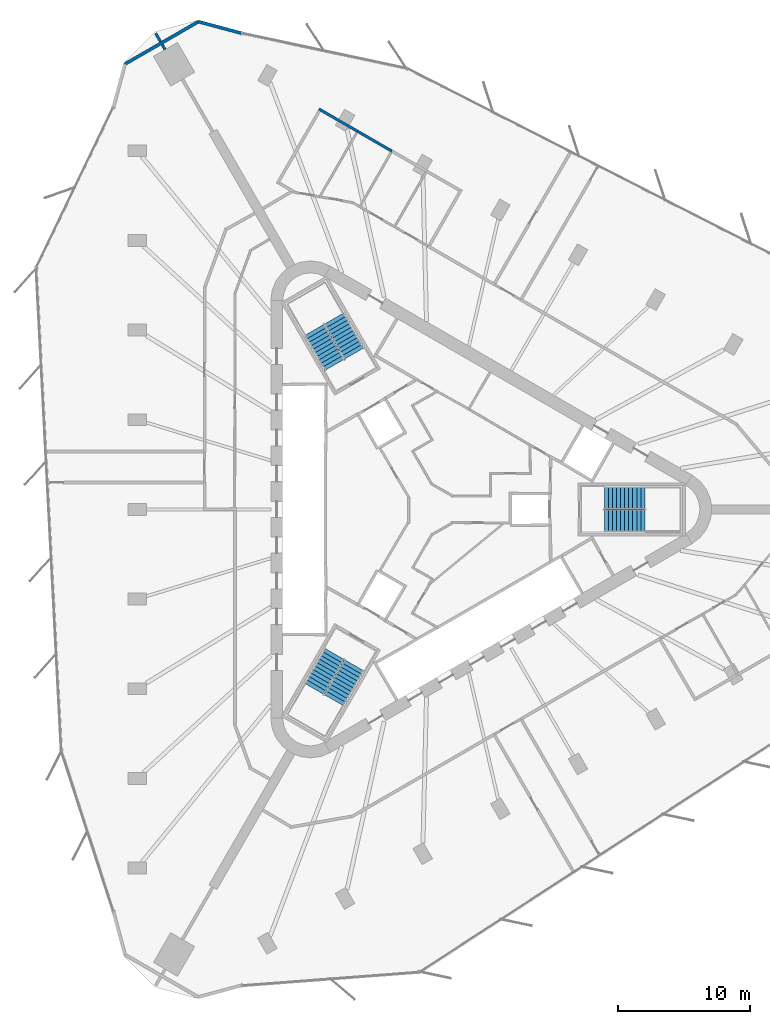
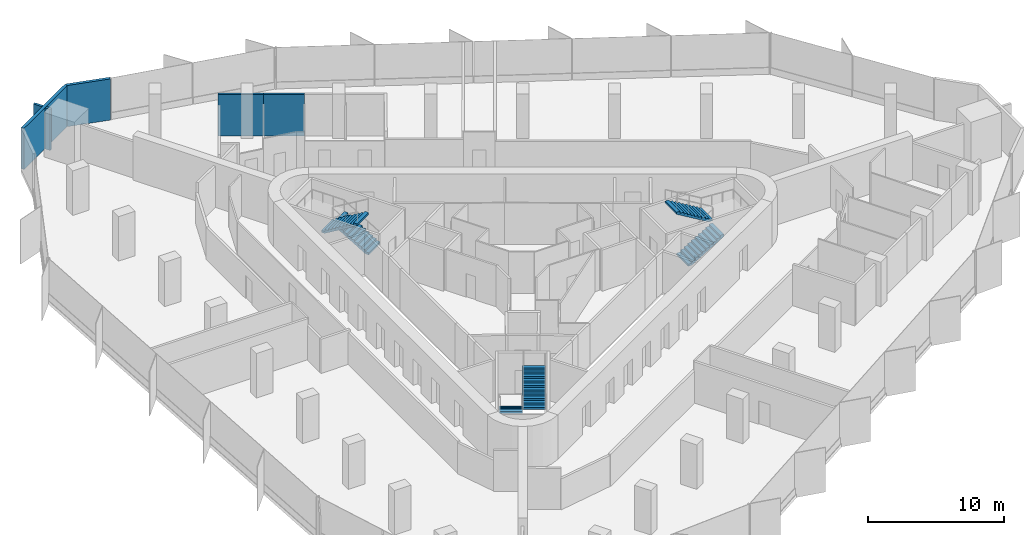
# One storey, part 13 of 14: 6 stair flights, 6 walls, 3 elements without a shape of their own.
"""IFC4 building model written with IfcOpenShell, lengths in metres."""

import ifcopenshell
import ifcopenshell.guid

model = None  # the IFC model being written
_history = None  # IfcOwnerHistory: only IFC2X3 demands one
_inside = {}  # id of a spatial element -> (the spatial element, [elements in it])
_under = {}  # id of a project, library or spatial element -> (it, [spatial elements below it])
_declared = {}  # id of a project -> (the project, [libraries it declares])
_typed = {}  # id of a type object -> (the type object, [elements of that type])
_made_of = {}  # id of a material, layer set ... -> (it, [elements and type objects made of it])


def new_model(schema):
    """Start an empty IFC model of exactly this schema.

    Asked for "IFC4X3", IfcOpenShell would pick the latest addendum, in which some entities
    have other attributes; the version numbers below select the first issue.
    IFC2X3 requires an IfcOwnerHistory on every rooted entity: one is made here for all.
    """
    global model, _history
    if schema == "IFC4X3":
        model = ifcopenshell.file(schema_version=(4, 3, 0, 0))
    else:
        model = ifcopenshell.file(schema=schema)
    _inside.clear()
    _under.clear()
    _declared.clear()
    _typed.clear()
    _made_of.clear()
    _history = None
    if model.schema == "IFC2X3":
        org = make("IfcOrganization", Name="unknown")
        user = make(
            "IfcPersonAndOrganization",
            ThePerson=make("IfcPerson", FamilyName="unknown"),
            TheOrganization=org,
        )
        app = make(
            "IfcApplication",
            ApplicationDeveloper=org,
            Version="unknown",
            ApplicationFullName="unknown",
            ApplicationIdentifier="unknown",
        )
        _history = make(
            "IfcOwnerHistory",
            OwningUser=user,
            OwningApplication=app,
            ChangeAction="ADDED",
            CreationDate=0,
        )
    return model


def make(cls, **values):
    """One entity of the class cls with the attributes given. An attribute that is None is left unset."""
    return model.create_entity(
        cls, **{name: value for name, value in values.items() if value is not None}
    )


def rooted(cls, **values):
    """An entity with a GlobalId (a new one), such as an element, a storey or a relation."""
    return make(cls, GlobalId=ifcopenshell.guid.new(), OwnerHistory=_history, **values)


def si_unit(unit_type, name, prefix=None):
    """IfcSIUnit, for example si_unit("LENGTHUNIT", "METRE", prefix="MILLI")."""
    return make("IfcSIUnit", UnitType=unit_type, Prefix=prefix, Name=name)


def assignment(units):
    """IfcUnitAssignment: the units of a project."""
    return None if units is None else make("IfcUnitAssignment", Units=units)


def point(xyz):
    """IfcCartesianPoint."""
    return None if xyz is None else make("IfcCartesianPoint", Coordinates=xyz)


def direction(xyz):
    """IfcDirection."""
    return None if xyz is None else make("IfcDirection", DirectionRatios=xyz)


def frame(location, z_axis=None, x_axis=None):
    """IfcAxis2Placement3D, a coordinate frame: its origin and axes. An axis left out is left unset."""
    return make(
        "IfcAxis2Placement3D",
        Location=point(location),
        Axis=direction(z_axis),
        RefDirection=direction(x_axis),
    )


def frame_2d(location, x_axis=None):
    """IfcAxis2Placement2D, a coordinate frame in the plane: its origin and x axis."""
    return make(
        "IfcAxis2Placement2D", Location=point(location), RefDirection=direction(x_axis)
    )


def origin():
    """The frame at (0, 0, 0) with its axes left unset."""
    return frame((0.0, 0.0, 0.0))


def place(relative_to, where):
    """IfcLocalPlacement: puts the frame where relative to a parent placement (None: the world)."""
    return make(
        "IfcLocalPlacement", PlacementRelTo=relative_to, RelativePlacement=where
    )


def context(
    kind, dimensions, precision=None, world=None, true_north=None, identifier=None
):
    """IfcGeometricRepresentationContext, for example the 3D "Model" context."""
    return make(
        "IfcGeometricRepresentationContext",
        ContextIdentifier=identifier,
        ContextType=kind,
        CoordinateSpaceDimension=dimensions,
        Precision=precision,
        WorldCoordinateSystem=world,
        TrueNorth=true_north,
    )


def subcontext(parent, identifier, kind, view, scale=None):
    """IfcGeometricRepresentationSubContext, for example "Body" below "Model"."""
    return make(
        "IfcGeometricRepresentationSubContext",
        ContextIdentifier=identifier,
        ContextType=kind,
        ParentContext=parent,
        TargetScale=scale,
        TargetView=view,
    )


def project(units=None, contexts=None):
    """IfcProject with its units and contexts."""
    return rooted(
        "IfcProject",
        Name="project",
        RepresentationContexts=contexts,
        UnitsInContext=assignment(units),
    )


def spatial(cls, under=None, at=None, **own):
    """A site, building, storey or space (cls), placed at a placement, below another one or the project."""
    s = rooted(cls, ObjectPlacement=at, **own)
    if under is not None:
        _under.setdefault(under.id(), (under, []))[1].append(s)
    return s


def polyline(points):
    """IfcPolyline through the points."""
    return make("IfcPolyline", Points=[point(p) for p in points])


def profile(cls, at=None, kind="AREA", **sizes):
    """A parametric profile (cls). Its sizes go by their IFC names, for example OverallWidth=200.0."""
    return make(cls, ProfileType=kind, Position=at, **sizes)


def rectangle(**sizes):
    """IfcRectangleProfileDef."""
    return profile("IfcRectangleProfileDef", **sizes)


def outline(outer, holes=None, kind="AREA"):
    """IfcArbitraryClosedProfileDef: a profile drawn as a closed curve; with holes, ...WithVoids."""
    if holes is None:
        return make("IfcArbitraryClosedProfileDef", ProfileType=kind, OuterCurve=outer)
    return make(
        "IfcArbitraryProfileDefWithVoids",
        ProfileType=kind,
        OuterCurve=outer,
        InnerCurves=holes,
    )


def extrude(swept, where, along, depth):
    """IfcExtrudedAreaSolid: the profile swept, set in the frame where, extruded along a direction by depth."""
    return make(
        "IfcExtrudedAreaSolid",
        SweptArea=swept,
        Position=where,
        ExtrudedDirection=direction(along),
        Depth=depth,
    )


def shape(context_of_items, identifier, shape_type, items):
    """IfcShapeRepresentation: the items that make up one representation, for example the "Body"."""
    return make(
        "IfcShapeRepresentation",
        ContextOfItems=context_of_items,
        RepresentationIdentifier=identifier,
        RepresentationType=shape_type,
        Items=items,
    )


def material(Name=None, Category=None):
    """IfcMaterial."""
    return make("IfcMaterial", Name=Name, Category=Category)


def layer(
    of_material, thickness, ventilated=None, Name=None, Category=None, Priority=None
):
    """IfcMaterialLayer: one layer of a wall or slab, of a material (None: an air gap)."""
    return make(
        "IfcMaterialLayer",
        Material=of_material,
        LayerThickness=thickness,
        IsVentilated=ventilated,
        Name=Name,
        Category=Category,
        Priority=Priority,
    )


def layer_set(layers, Name=None):
    """IfcMaterialLayerSet."""
    return make("IfcMaterialLayerSet", MaterialLayers=layers, LayerSetName=Name)


def made_of(thing, what):
    """Note that an element or type object is made of a material, layer set ...; save() writes the relation."""
    if what is not None:
        _made_of.setdefault(what.id(), (what, []))[1].append(thing)
    return thing


def type_object(cls, material=None, **own):
    """A type object (cls), such as IfcWallType, which elements share."""
    return made_of(rooted(cls, **own), material)


def element(
    cls,
    number,
    at=None,
    inside=None,
    cuts=None,
    type_object=None,
    material=None,
    context=None,
    identifier="Body",
    shape_type=None,
    held_by="IfcProductDefinitionShape",
    body=None,
    shapes=None,
    **own,
):
    """One element of the class cls, such as IfcWall. Its Tag is "e" and its number.

    at: its placement. inside: the storey or other place that contains it. cuts: it is an
    opening in that element (IfcRelVoidsElement). A single representation is given by context,
    identifier, shape_type and body (its items); several are given by shapes. held_by: the class
    of the entity that holds the representations. save() writes the other relations.
    """
    e = rooted(cls, Tag="e%d" % number, ObjectPlacement=at, **own)
    if body is not None:
        shapes = [shape(context, identifier, shape_type, body)]
    if shapes is not None:
        e.Representation = make(held_by, Representations=shapes)
    if inside is not None:
        _inside.setdefault(inside.id(), (inside, []))[1].append(e)
    if cuts is not None:
        rooted(
            "IfcRelVoidsElement", RelatingBuildingElement=cuts, RelatedOpeningElement=e
        )
    if type_object is not None:
        _typed.setdefault(type_object.id(), (type_object, []))[1].append(e)
    return made_of(e, material)


def aggregate(whole, parts):
    """IfcRelAggregates: a whole, such as a stair, and the parts it consists of."""
    return rooted("IfcRelAggregates", RelatingObject=whole, RelatedObjects=parts)


def save(model, path):
    """Write the relations noted so far, then the file.

    IfcRelAggregates (storeys below a building ...), IfcRelContainedInSpatialStructure (elements
    in a storey), IfcRelDefinesByType, IfcRelAssociatesMaterial and IfcRelDeclares: one each for
    every whole, place, type object, material and project.
    """
    for whole, parts in _under.values():
        aggregate(whole, parts)
    for where, things in _inside.values():
        rooted(
            "IfcRelContainedInSpatialStructure",
            RelatedElements=things,
            RelatingStructure=where,
        )
    for kind, things in _typed.values():
        rooted("IfcRelDefinesByType", RelatedObjects=things, RelatingType=kind)
    for what, things in _made_of.values():
        rooted("IfcRelAssociatesMaterial", RelatedObjects=things, RelatingMaterial=what)
    for by, libraries in _declared.values():
        rooted("IfcRelDeclares", RelatingContext=by, RelatedDefinitions=libraries)
    model.write(path)


model = new_model("IFC4")

# Units and contexts
model_context = context("Model", 3, precision=1e-05, world=origin(), true_north=direction((0.0, 1.0)))
body_context = subcontext(model_context, "Body", "Model", "MODEL_VIEW")
ifc_project = project(units=[si_unit("LENGTHUNIT", "METRE"), si_unit("AREAUNIT", "SQUARE_METRE"), si_unit("VOLUMEUNIT", "CUBIC_METRE"), si_unit("PLANEANGLEUNIT", "RADIAN"), si_unit("MASSUNIT", "GRAM", prefix="KILO")], contexts=[model_context])

# Site, building, storey
site_placement = place(None, origin())
site = spatial("IfcSite", under=ifc_project, at=site_placement, CompositionType="ELEMENT")
building_placement = place(site_placement, origin())
building = spatial("IfcBuilding", under=site, at=building_placement, Name="Tanit Gate Tower", CompositionType="ELEMENT")
storey_placement = place(building_placement, frame((0.0, 0.0, 213.199951171875)))
storey = spatial("IfcBuildingStorey", under=building, at=storey_placement, Name="L47", CompositionType="ELEMENT", Elevation=213.199951171875)

# Walls
ifc_material_1 = material(Name="Concrete C30/37 with bronze anodised aluminium cladding", Category="concrete")
ifc_layer_1 = layer(ifc_material_1, 0.239990234375)
ifc_layer_set_1 = layer_set([ifc_layer_1], Name="Facade wall bronze clad 240")
wall_type_1 = type_object("IfcWallType", Name="Facade wall bronze clad 240", PredefinedType="SOLIDWALL", material=ifc_layer_set_1)
wall_1_placement = place(storey_placement, frame((-14.32568359375, 35.962890625, 0.0), z_axis=(0.0, 0.0, 1.0), x_axis=(-0.965927247937, 0.258813739382, 0.0)))
element("IfcWall", 1, at=wall_1_placement, inside=storey, type_object=wall_type_1, Name="Bronze-clad facade wall L47 NW.arc1", PredefinedType="SOLIDWALL", context=body_context, shape_type="SweptSolid", body=[
    extrude(rectangle(XDim=3.3525390625, YDim=0.239990234375, at=frame_2d((1.67626953125, 0.0))), origin(), (0.0, 0.0, 1.0), 3.699951171875),
])
wall_2_placement = place(storey_placement, frame((-17.56396484375, 36.83056640625, 0.0), z_axis=(0.0, 0.0, 1.0), x_axis=(-0.86602381473, -0.500002752313, 0.0)))
element("IfcWall", 2, at=wall_2_placement, inside=storey, type_object=wall_type_1, Name="Bronze-clad facade wall L47 NW.arc2", PredefinedType="SOLIDWALL", context=body_context, shape_type="SweptSolid", body=[
    extrude(rectangle(XDim=6.40869140625, YDim=0.239990234375, at=frame_2d((3.204345703125, 0.0))), origin(), (0.0, 0.0, 1.0), 3.699951171875),
])
ifc_material_2 = material(Name="Fire-rated gypsum board partition")
ifc_layer_2 = layer(ifc_material_2, 0.199951171875)
ifc_layer_set_2 = layer_set([ifc_layer_2], Name="INT-WALL-COMPARTMENT")
wall_type_2 = type_object("IfcWallType", Name="INT-WALL-COMPARTMENT", PredefinedType="PARTITIONING", material=ifc_layer_set_2)
wall_3_placement = place(storey_placement, frame((-20.08154296875, 34.72216796875, 0.0), z_axis=(0.0, 0.0, 1.0), x_axis=(-0.500132045864, 0.865949153646, 0.0)))
element("IfcWall", 3, at=wall_3_placement, inside=storey, type_object=wall_type_2, Name="Wall Compartment W123", PredefinedType="PARTITIONING", context=body_context, shape_type="SweptSolid", body=[
    extrude(rectangle(XDim=0.447265625, YDim=0.199951171875, at=frame_2d((0.2236328125, 0.0))), origin(), (0.0, 0.0, 1.0), 3.699951171875),
])
wall_4_placement = place(storey_placement, frame((-20.425048828125, 35.317138671875, 0.0), z_axis=(0.0, 0.0, 1.0), x_axis=(-0.499876722092, 0.86609656662, 0.0)))
element("IfcWall", 4, at=wall_4_placement, inside=storey, type_object=wall_type_2, Name="Wall Compartment W123x1", PredefinedType="PARTITIONING", context=body_context, shape_type="SweptSolid", body=[
    extrude(rectangle(XDim=0.730712890625, YDim=0.199951171875, at=frame_2d((0.365234375, 0.0))), origin(), (0.0, 0.0, 1.0), 3.699951171875),
])
wall_5_placement = place(storey_placement, frame((-8.46728515625, 30.234375, 0.0), z_axis=(0.0, 0.0, 1.0), x_axis=(0.866011654119, -0.500023814363, 0.0)))
element("IfcWall", 5, at=wall_5_placement, inside=storey, type_object=wall_type_2, Name="Wall Compartment W133", PredefinedType="PARTITIONING", context=body_context, shape_type="SweptSolid", body=[
    extrude(rectangle(XDim=3.365966796875, YDim=0.199951171875, at=frame_2d((1.68310546875, 0.0))), origin(), (0.0, 0.0, 1.0), 3.699951171875),
])
wall_6_placement = place(storey_placement, frame((-5.55224609375, 28.55126953125, 0.0), z_axis=(0.0, 0.0, 1.0), x_axis=(0.866040543018, -0.499973777161, 0.0)))
element("IfcWall", 6, at=wall_6_placement, inside=storey, type_object=wall_type_2, Name="Wall Compartment W132", PredefinedType="PARTITIONING", context=body_context, shape_type="SweptSolid", body=[
    extrude(rectangle(XDim=2.999267578125, YDim=0.199951171875, at=frame_2d((1.49951171875, 0.0))), origin(), (0.0, 0.0, 1.0), 3.699951171875),
])

# Stair, stair flights
ifc_material_3 = material(Name="Concrete C40/50", Category="concrete")
stair_type = type_object("IfcStairType", Name="INT-STAIR-EXIT", PredefinedType="HALF_TURN_STAIR", material=ifc_material_3)
stair_1_placement = place(storey_placement, origin())
stair_1 = element("IfcStair", 7, at=stair_1_placement, inside=storey, type_object=stair_type, Name="L47 STAIR S1", PredefinedType="HALF_TURN_STAIR")
ifc_material_4 = material(Name="Concrete C40/50", Category="concrete")
stair_flight_type = type_object("IfcStairFlightType", Name="INT-STAIR-FLIGHT", PredefinedType="STRAIGHT", material=ifc_material_4)
stair_flight_1_placement = place(storey_placement, frame((13.094970703125, -0.8525390625, 0.0), z_axis=(0.0, 0.0, 1.0), x_axis=(1.0, 0.0, 0.0)))
stair_flight_1 = element("IfcStairFlight", 8, at=stair_flight_1_placement, type_object=stair_flight_type, Name="S1 flight 1", NumberOfRisers=11, NumberOfTreads=10, PredefinedType="STRAIGHT", RiserHeight=0.181818182, TreadLength=0.3051, context=body_context, shape_type="SweptSolid", body=[
    extrude(outline(polyline([(0.0, 0.0), (0.0, 0.181884765625), (0.30517578125, 0.181884765625), (0.30517578125, 0.363525390625), (0.610107421875, 0.363525390625), (0.610107421875, 0.54541015625), (0.915283203125, 0.54541015625), (0.915283203125, 0.727294921875), (1.220458984375, 0.727294921875), (1.220458984375, 0.9091796875), (1.525390625, 0.9091796875), (1.525390625, 1.0908203125), (1.83056640625, 1.0908203125), (1.83056640625, 1.272705078125), (2.1357421875, 1.272705078125), (2.1357421875, 1.45458984375), (2.44091796875, 1.45458984375), (2.44091796875, 1.636474609375), (2.745849609375, 1.636474609375), (2.745849609375, 1.818115234375), (3.051025390625, 1.818115234375), (3.051025390625, 2.0), (3.051025390625, 1.643798828125), (0.292724609375, 0.0), (0.0, 0.0)])), frame((0.0, 0.84765625, 0.0), z_axis=(0.0, -1.0, 0.0), x_axis=(1.0, 0.0, 0.0)), (0.0, 0.0, 1.0), 1.695068359375),
])
stair_flight_2_placement = place(storey_placement, frame((16.14599609375, 0.8525390625, 2.0), z_axis=(0.0, 0.0, 1.0), x_axis=(-1.0, 0.0, 0.0)))
stair_flight_2 = element("IfcStairFlight", 9, at=stair_flight_2_placement, type_object=stair_flight_type, Name="S1 flight 2", NumberOfRisers=11, NumberOfTreads=10, PredefinedType="STRAIGHT", RiserHeight=0.181818182, TreadLength=0.3051, context=body_context, shape_type="SweptSolid", body=[
    extrude(outline(polyline([(0.0, 0.0), (0.0, 0.181884765625), (0.30517578125, 0.181884765625), (0.30517578125, 0.363525390625), (0.610107421875, 0.363525390625), (0.610107421875, 0.54541015625), (0.915283203125, 0.54541015625), (0.915283203125, 0.727294921875), (1.220458984375, 0.727294921875), (1.220458984375, 0.9091796875), (1.525390625, 0.9091796875), (1.525390625, 1.0908203125), (1.83056640625, 1.0908203125), (1.83056640625, 1.272705078125), (2.1357421875, 1.272705078125), (2.1357421875, 1.45458984375), (2.44091796875, 1.45458984375), (2.44091796875, 1.636474609375), (2.745849609375, 1.636474609375), (2.745849609375, 1.818115234375), (3.051025390625, 1.818115234375), (3.051025390625, 2.0), (3.051025390625, 1.643798828125), (0.292724609375, 0.0), (0.0, 0.0)])), frame((0.0, 0.84765625, 0.0), z_axis=(0.0, -1.0, 0.0), x_axis=(1.0, 0.0, 0.0)), (0.0, 0.0, 1.0), 1.695068359375),
])
aggregate(stair_1, [stair_flight_1, stair_flight_2])

stair_2_placement = place(storey_placement, origin())
stair_2 = element("IfcStair", 10, at=stair_2_placement, inside=storey, type_object=stair_type, Name="L47 STAIR S2", PredefinedType="HALF_TURN_STAIR")
stair_flight_3_placement = place(storey_placement, frame((-5.808349609375, 11.766357421875, 0.0), z_axis=(0.0, 0.0, 1.0), x_axis=(-0.5, 0.866025403784, 0.0)))
stair_flight_3 = element("IfcStairFlight", 11, at=stair_flight_3_placement, type_object=stair_flight_type, Name="S2 flight 1", NumberOfRisers=11, NumberOfTreads=10, PredefinedType="STRAIGHT", RiserHeight=0.181818182, TreadLength=0.30492, context=body_context, shape_type="SweptSolid", body=[
    extrude(outline(polyline([(0.0, 0.0), (0.0, 0.181884765625), (0.304931640625, 0.181884765625), (0.304931640625, 0.363525390625), (0.60986328125, 0.363525390625), (0.60986328125, 0.54541015625), (0.914794921875, 0.54541015625), (0.914794921875, 0.727294921875), (1.2197265625, 0.727294921875), (1.2197265625, 0.9091796875), (1.524658203125, 0.9091796875), (1.524658203125, 1.0908203125), (1.82958984375, 1.0908203125), (1.82958984375, 1.272705078125), (2.134521484375, 1.272705078125), (2.134521484375, 1.45458984375), (2.439453125, 1.45458984375), (2.439453125, 1.636474609375), (2.744384765625, 1.636474609375), (2.744384765625, 1.818115234375), (3.04931640625, 1.818115234375), (3.04931640625, 2.0), (3.04931640625, 1.6435546875), (0.292724609375, 0.0), (0.0, 0.0)])), frame((0.0, 0.84716796875, 0.0), z_axis=(0.0, -1.0, 0.0), x_axis=(1.0, 0.0, 0.0)), (0.0, 0.0, 1.0), 1.694091796875),
])
stair_flight_4_placement = place(storey_placement, frame((-8.810302734375, 13.553955078125, 2.0), z_axis=(0.0, 0.0, 1.0), x_axis=(0.5, -0.866025403784, 0.0)))
stair_flight_4 = element("IfcStairFlight", 12, at=stair_flight_4_placement, type_object=stair_flight_type, Name="S2 flight 2", NumberOfRisers=11, NumberOfTreads=10, PredefinedType="STRAIGHT", RiserHeight=0.181818182, TreadLength=0.30492, context=body_context, shape_type="SweptSolid", body=[
    extrude(outline(polyline([(0.0, 0.0), (0.0, 0.181884765625), (0.304931640625, 0.181884765625), (0.304931640625, 0.363525390625), (0.60986328125, 0.363525390625), (0.60986328125, 0.54541015625), (0.914794921875, 0.54541015625), (0.914794921875, 0.727294921875), (1.2197265625, 0.727294921875), (1.2197265625, 0.9091796875), (1.524658203125, 0.9091796875), (1.524658203125, 1.0908203125), (1.82958984375, 1.0908203125), (1.82958984375, 1.272705078125), (2.134521484375, 1.272705078125), (2.134521484375, 1.45458984375), (2.439453125, 1.45458984375), (2.439453125, 1.636474609375), (2.744384765625, 1.636474609375), (2.744384765625, 1.818115234375), (3.04931640625, 1.818115234375), (3.04931640625, 2.0), (3.04931640625, 1.6435546875), (0.292724609375, 0.0), (0.0, 0.0)])), frame((0.0, 0.84716796875, 0.0), z_axis=(0.0, -1.0, 0.0), x_axis=(1.0, 0.0, 0.0)), (0.0, 0.0, 1.0), 1.694091796875),
])
aggregate(stair_2, [stair_flight_3, stair_flight_4])

stair_3_placement = place(storey_placement, origin())
stair_3 = element("IfcStair", 13, at=stair_3_placement, inside=storey, type_object=stair_type, Name="L47 STAIR S3", PredefinedType="HALF_TURN_STAIR")
stair_flight_5_placement = place(storey_placement, frame((-7.285888671875, -10.914306640625, 0.0), z_axis=(0.0, 0.0, 1.0), x_axis=(-0.5, -0.866025403784, 0.0)))
stair_flight_5 = element("IfcStairFlight", 14, at=stair_flight_5_placement, type_object=stair_flight_type, Name="S3 flight 1", NumberOfRisers=11, NumberOfTreads=10, PredefinedType="STRAIGHT", RiserHeight=0.181818182, TreadLength=0.3051, context=body_context, shape_type="SweptSolid", body=[
    extrude(outline(polyline([(0.0, 0.0), (0.0, 0.181884765625), (0.30517578125, 0.181884765625), (0.30517578125, 0.363525390625), (0.610107421875, 0.363525390625), (0.610107421875, 0.54541015625), (0.915283203125, 0.54541015625), (0.915283203125, 0.727294921875), (1.220458984375, 0.727294921875), (1.220458984375, 0.9091796875), (1.525390625, 0.9091796875), (1.525390625, 1.0908203125), (1.83056640625, 1.0908203125), (1.83056640625, 1.272705078125), (2.1357421875, 1.272705078125), (2.1357421875, 1.45458984375), (2.44091796875, 1.45458984375), (2.44091796875, 1.636474609375), (2.745849609375, 1.636474609375), (2.745849609375, 1.818115234375), (3.051025390625, 1.818115234375), (3.051025390625, 2.0), (3.051025390625, 1.643798828125), (0.292724609375, 0.0), (0.0, 0.0)])), frame((0.0, 0.84765625, 0.0), z_axis=(0.0, -1.0, 0.0), x_axis=(1.0, 0.0, 0.0)), (0.0, 0.0, 1.0), 1.695068359375),
])
stair_flight_6_placement = place(storey_placement, frame((-7.334716796875, -14.4091796875, 2.0), z_axis=(0.0, 0.0, 1.0), x_axis=(0.5, 0.866025403784, 0.0)))
stair_flight_6 = element("IfcStairFlight", 15, at=stair_flight_6_placement, type_object=stair_flight_type, Name="S3 flight 2", NumberOfRisers=11, NumberOfTreads=10, PredefinedType="STRAIGHT", RiserHeight=0.181818182, TreadLength=0.3051, context=body_context, shape_type="SweptSolid", body=[
    extrude(outline(polyline([(0.0, 0.0), (0.0, 0.181884765625), (0.30517578125, 0.181884765625), (0.30517578125, 0.363525390625), (0.610107421875, 0.363525390625), (0.610107421875, 0.54541015625), (0.915283203125, 0.54541015625), (0.915283203125, 0.727294921875), (1.220458984375, 0.727294921875), (1.220458984375, 0.9091796875), (1.525390625, 0.9091796875), (1.525390625, 1.0908203125), (1.83056640625, 1.0908203125), (1.83056640625, 1.272705078125), (2.1357421875, 1.272705078125), (2.1357421875, 1.45458984375), (2.44091796875, 1.45458984375), (2.44091796875, 1.636474609375), (2.745849609375, 1.636474609375), (2.745849609375, 1.818115234375), (3.051025390625, 1.818115234375), (3.051025390625, 2.0), (3.051025390625, 1.643798828125), (0.292724609375, 0.0), (0.0, 0.0)])), frame((0.0, 0.84765625, 0.0), z_axis=(0.0, -1.0, 0.0), x_axis=(1.0, 0.0, 0.0)), (0.0, 0.0, 1.0), 1.695068359375),
])
aggregate(stair_3, [stair_flight_5, stair_flight_6])

save(model, "model.ifc")
